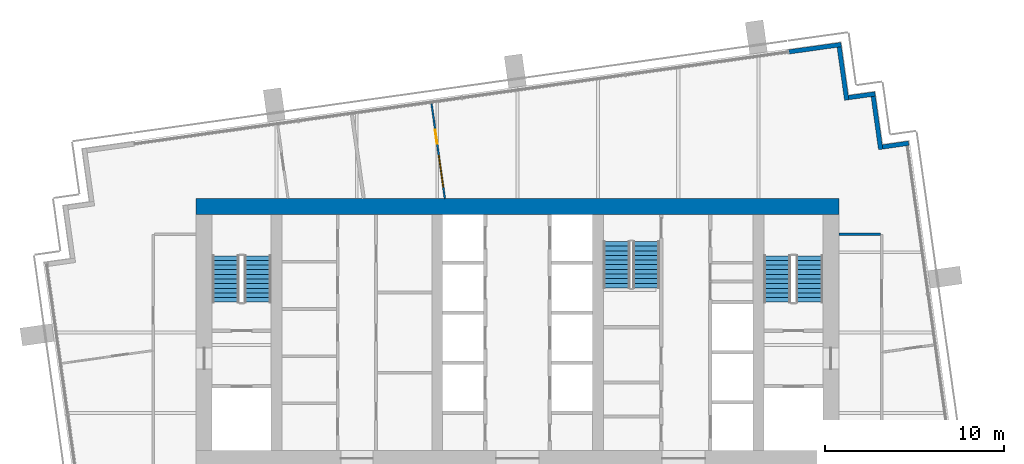
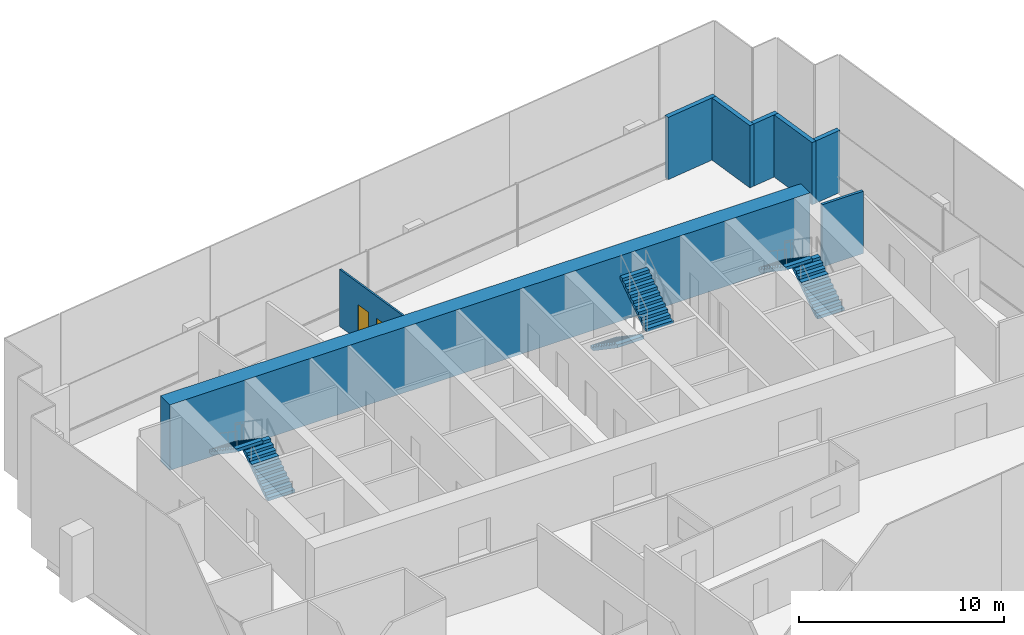
# One storey, part 11 of 15: 8 walls, 6 stair flights, 1 door, 1 window, 2 openings, 3 elements without a shape of their own.
"""IFC4 building model written with IfcOpenShell, lengths in metres."""

from ifc_helpers import new_model, si_unit, direction, frame, frame_2d, origin, place, context, subcontext, project, spatial, polyline, rectangle, outline, extrude, material, layer, layer_set, type_object, element, fill, aggregate, save


model = new_model("IFC4")

# Units and contexts
model_context = context("Model", 3, precision=1e-05, world=origin(), true_north=direction((0.0, 1.0)))
body_context = subcontext(model_context, "Body", "Model", "MODEL_VIEW")
ifc_project = project(units=[si_unit("LENGTHUNIT", "METRE"), si_unit("AREAUNIT", "SQUARE_METRE"), si_unit("VOLUMEUNIT", "CUBIC_METRE"), si_unit("PLANEANGLEUNIT", "RADIAN"), si_unit("MASSUNIT", "GRAM", prefix="KILO")], contexts=[model_context])

# Site, building, storey
site_placement = place(None, origin())
site = spatial("IfcSite", under=ifc_project, at=site_placement, CompositionType="ELEMENT")
building_placement = place(site_placement, origin())
building = spatial("IfcBuilding", under=site, at=building_placement, Name="Rattan Terrace Tower", CompositionType="ELEMENT")
storey_placement = place(building_placement, frame((0.0, 0.0, 255.10009765625)))
storey = spatial("IfcBuildingStorey", under=building, at=storey_placement, Name="L58", CompositionType="ELEMENT", Elevation=255.10009765625)

# Walls
ifc_material_1 = material(Name="Concrete C50/60", Category="concrete")
ifc_layer_1 = layer(ifc_material_1, 0.89990234375)
ifc_layer_set_1 = layer_set([ifc_layer_1], Name="Core ring wall 900 C50/60")
wall_type_1 = type_object("IfcWallType", Name="Core ring wall 900 C50/60", PredefinedType="SHEAR", material=ifc_layer_set_1)
wall_1_placement = place(storey_placement, frame((-18.0, 7.050048828125, -0.2001953125), z_axis=(0.0, 0.0, 1.0), x_axis=(1.0, 0.0, 0.0)))
element("IfcWall", 1, at=wall_1_placement, inside=storey, type_object=wall_type_1, Name="Rear core wall north", PredefinedType="SHEAR", context=body_context, shape_type="SweptSolid", body=[
    extrude(rectangle(XDim=36.0, YDim=0.89990234375, at=frame_2d((18.0, 0.0))), origin(), (0.0, 0.0, 1.0), 3.900146484375),
])
ifc_material_2 = material(Name="Insulated aluminium-clad stud wall", Category="aluminium")
ifc_layer_2 = layer(ifc_material_2, 0.25)
ifc_layer_set_2 = layer_set([ifc_layer_2], Name="Facade Riser Wall 250")
wall_type_2 = type_object("IfcWallType", Name="Facade Riser Wall 250", PredefinedType="SOLIDWALL", material=ifc_layer_set_2)
wall_2_placement = place(storey_placement, frame((21.90625, 10.60498046875, 0.0), z_axis=(0.0, 0.0, 1.0), x_axis=(-0.990235520307, -0.13940449893, 0.0)))
element("IfcWall", 2, at=wall_2_placement, inside=storey, type_object=wall_type_2, Name="Riser wall L58-6", PredefinedType="SOLIDWALL", context=body_context, shape_type="SweptSolid", body=[
    extrude(rectangle(XDim=1.474609375, YDim=0.25, at=frame_2d((0.7373046875, 0.0))), origin(), (0.0, 0.0, 1.0), 3.699951171875),
])
wall_3_placement = place(storey_placement, frame((20.33984375, 10.25830078125, 0.0), z_axis=(0.0, 0.0, 1.0), x_axis=(-0.139393225799, 0.990237107263, 0.0)))
element("IfcWall", 3, at=wall_3_placement, inside=storey, type_object=wall_type_2, Name="Riser wall L58-7", PredefinedType="SOLIDWALL", context=body_context, shape_type="SweptSolid", body=[
    extrude(rectangle(XDim=3.000244140625, YDim=0.25, at=frame_2d((1.5, 0.0))), origin(), (0.0, 0.0, 1.0), 3.699951171875),
])
wall_4_placement = place(storey_placement, frame((20.028076171875, 13.370361328125, 0.0), z_axis=(0.0, 0.0, 1.0), x_axis=(-0.990330117064, -0.138730887823, 0.0)))
element("IfcWall", 4, at=wall_4_placement, inside=storey, type_object=wall_type_2, Name="Riser wall L58-8", PredefinedType="SOLIDWALL", context=body_context, shape_type="SweptSolid", body=[
    extrude(rectangle(XDim=1.499267578125, YDim=0.25, at=frame_2d((0.74951171875, 0.0))), origin(), (0.0, 0.0, 1.0), 3.699951171875),
])
wall_5_placement = place(storey_placement, frame((18.436767578125, 13.021240234375, 0.0), z_axis=(0.0, 0.0, 1.0), x_axis=(-0.139358350296, 0.990242015975, 0.0)))
element("IfcWall", 5, at=wall_5_placement, inside=storey, type_object=wall_type_2, Name="Riser wall L58-9", PredefinedType="SOLIDWALL", context=body_context, shape_type="SweptSolid", body=[
    extrude(rectangle(XDim=2.999267578125, YDim=0.25, at=frame_2d((1.49951171875, 0.0))), origin(), (0.0, 0.0, 1.0), 3.699951171875),
])
wall_6_placement = place(storey_placement, frame((18.125244140625, 16.13232421875, 0.0), z_axis=(0.0, 0.0, 1.0), x_axis=(-0.990291981483, -0.139002846771, 0.0)))
element("IfcWall", 6, at=wall_6_placement, inside=storey, type_object=wall_type_2, Name="Riser wall L58-10", PredefinedType="SOLIDWALL", context=body_context, shape_type="SweptSolid", body=[
    extrude(rectangle(XDim=2.9541015625, YDim=0.25, at=frame_2d((1.47705078125, 0.0))), origin(), (0.0, 0.0, 1.0), 3.699951171875),
])

# Wall, openings, door, window
ifc_material_3 = material(Name="Gypsum board partition on steel studs", Category="steel")
ifc_layer_3 = layer(ifc_material_3, 0.10009765625)
ifc_layer_set_3 = layer_set([ifc_layer_3], Name="Floors Partition 100")
wall_type_3 = type_object("IfcWallType", Name="Floors Partition 100", PredefinedType="PARTITIONING", material=ifc_layer_set_3)
wall_7_placement = place(storey_placement, frame((-4.070068359375, 7.5, 0.0), z_axis=(0.0, 0.0, 1.0), x_axis=(-0.139122430522, 0.990275188685, 0.0)))
wall_7 = element("IfcWall", 7, at=wall_7_placement, inside=storey, type_object=wall_type_3, Name="pt-L58-036", PredefinedType="PARTITIONING", context=body_context, shape_type="SweptSolid", body=[
    extrude(rectangle(XDim=5.3681640625, YDim=0.10009765625, at=frame_2d((2.68408203125, 0.0))), origin(), (0.0, 0.0, 1.0), 3.39990234375),
])
opening_1_placement = place(wall_7_placement, frame((3.097900390625, 0.0, 0.0)))
opening_1 = element("IfcOpeningElement", 8, at=opening_1_placement, cuts=wall_7, Name="Opening L58-D113", PredefinedType="OPENING", context=body_context, shape_type="SweptSolid", body=[
    extrude(rectangle(XDim=0.800048828125, YDim=2.10009765625, at=frame_2d((0.39990234375, 1.050048828125))), frame((0.0, 0.060546875, 0.0), z_axis=(0.0, -1.0, 0.0), x_axis=(1.0, 0.0, 0.0)), (0.0, 0.0, 1.0), 0.12109375),
])
opening_2_placement = place(wall_7_placement, frame((0.64892578125, 0.0, 0.89990234375)))
opening_2 = element("IfcOpeningElement", 9, at=opening_2_placement, cuts=wall_7, Name="Opening L58-W105", PredefinedType="OPENING", context=body_context, shape_type="SweptSolid", body=[
    extrude(rectangle(XDim=1.800048828125, YDim=1.199951171875, at=frame_2d((0.89990234375, 0.60009765625))), frame((0.0, 0.060546875, 0.0), z_axis=(0.0, -1.0, 0.0), x_axis=(1.0, 0.0, 0.0)), (0.0, 0.0, 1.0), 0.12109375),
])
ifc_material_4 = material(Name="Solid core timber door, painted", Category="wood")
door_type = type_object("IfcDoorType", Name="Floors Store Door 800x2100", OperationType="NOTDEFINED", PredefinedType="DOOR", material=ifc_material_4)
door_placement = place(opening_1_placement, origin())
door = element("IfcDoor", 10, at=door_placement, inside=storey, type_object=door_type, Name="d-L58-113", OperationType="SINGLE_SWING_RIGHT", OverallHeight=2.10009765625, OverallWidth=0.800048828125, PredefinedType="DOOR", context=body_context, shape_type="SweptSolid", body=[
    extrude(rectangle(XDim=0.800048828125, YDim=2.10009765625, at=frame_2d((0.39990234375, 1.050048828125))), frame((0.0, 0.02490234375, 0.0), z_axis=(0.0, -1.0, 0.0), x_axis=(1.0, 0.0, 0.0)), (0.0, 0.0, 1.0), 0.050048828125),
])
fill(opening_1, door)
ifc_material_5 = material(Name="Glass, clear, fixed in aluminium frame", Category="aluminium")
window_type = type_object("IfcWindowType", Name="Interior Vision Window 1800x1200", PartitioningType="SINGLE_PANEL", PredefinedType="WINDOW", material=ifc_material_5)
window_placement = place(opening_2_placement, origin())
window = element("IfcWindow", 11, at=window_placement, inside=storey, type_object=window_type, Name="w-L58-105", OverallHeight=1.199951171875, OverallWidth=1.800048828125, PartitioningType="SINGLE_PANEL", PredefinedType="WINDOW", context=body_context, shape_type="SweptSolid", body=[
    extrude(rectangle(XDim=1.800048828125, YDim=1.199951171875, at=frame_2d((0.89990234375, 0.60009765625))), frame((0.0, 0.030029296875, 0.0), z_axis=(0.0, -1.0, 0.0), x_axis=(1.0, 0.0, 0.0)), (0.0, 0.0, 1.0), 0.06005859375),
])
fill(opening_2, window)

# Wall
ifc_material_6 = material(Name="Gypsum board partition on steel studs, fire rated", Category="steel")
ifc_layer_4 = layer(ifc_material_6, 0.14990234375)
ifc_layer_set_4 = layer_set([ifc_layer_4], Name="Floors Tenancy Wall 150")
wall_type_4 = type_object("IfcWallType", Name="Floors Tenancy Wall 150", PredefinedType="PARTITIONING", material=ifc_layer_set_4)
wall_8_placement = place(storey_placement, frame((18.0, 5.5009765625, 0.0), z_axis=(0.0, 0.0, 1.0), x_axis=(1.0, 0.0, 0.0)))
element("IfcWall", 12, at=wall_8_placement, inside=storey, type_object=wall_type_4, Name="pt-L58-016", PredefinedType="PARTITIONING", context=body_context, shape_type="SweptSolid", body=[
    extrude(rectangle(XDim=2.324951171875, YDim=0.14990234375, at=frame_2d((1.16259765625, 0.0))), origin(), (0.0, 0.0, 1.0), 3.699951171875),
])

# Stair, stair flights
ifc_material_7 = material(Name="Concrete C40/50", Category="concrete")
stair_type = type_object("IfcStairType", Name="Core exit stair 1500", PredefinedType="HALF_TURN_STAIR", material=ifc_material_7)
stair_1_placement = place(storey_placement, origin())
stair_1 = element("IfcStair", 13, at=stair_1_placement, inside=storey, type_object=stair_type, Name="L58 exit stair 1", PredefinedType="HALF_TURN_STAIR")
ifc_material_8 = material(Name="Concrete C40/50", Category="concrete")
stair_flight_type = type_object("IfcStairFlightType", Name="Core exit stair flight 1500", PredefinedType="STRAIGHT", material=ifc_material_8)
stair_flight_1_placement = place(storey_placement, frame((-14.550048828125, 1.699951171875, 0.0), z_axis=(0.0, 0.0, 1.0), x_axis=(0.0, 1.0, 0.0)))
stair_flight_1 = element("IfcStairFlight", 14, at=stair_flight_1_placement, type_object=stair_flight_type, Name="S1 flight 1", NumberOfRisers=11, NumberOfTreads=10, PredefinedType="STRAIGHT", RiserHeight=0.177272727, TreadLength=0.26, context=body_context, shape_type="SweptSolid", body=[
    extrude(outline(polyline([(0.0, 0.0), (0.0, 0.17724609375), (0.260009765625, 0.17724609375), (0.260009765625, 0.3544921875), (0.52001953125, 0.3544921875), (0.52001953125, 0.53173828125), (0.780029296875, 0.53173828125), (0.780029296875, 0.708984375), (1.0400390625, 0.708984375), (1.0400390625, 0.886474609375), (1.300048828125, 0.886474609375), (1.300048828125, 1.063720703125), (1.56005859375, 1.063720703125), (1.56005859375, 1.240966796875), (1.820068359375, 1.240966796875), (1.820068359375, 1.418212890625), (2.080078125, 1.418212890625), (2.080078125, 1.595458984375), (2.340087890625, 1.595458984375), (2.340087890625, 1.772705078125), (2.60009765625, 1.772705078125), (2.60009765625, 1.949951171875), (2.60009765625, 1.59130859375), (0.26611328125, 0.0), (0.0, 0.0)])), frame((0.0, 0.75, 0.0), z_axis=(0.0, -1.0, 0.0), x_axis=(1.0, 0.0, 0.0)), (0.0, 0.0, 1.0), 1.5),
])
stair_flight_2_placement = place(storey_placement, frame((-16.35009765625, 4.300048828125, 1.949951171875), z_axis=(0.0, 0.0, 1.0), x_axis=(0.0, -1.0, 0.0)))
stair_flight_2 = element("IfcStairFlight", 15, at=stair_flight_2_placement, type_object=stair_flight_type, Name="S1 flight 2", NumberOfRisers=11, NumberOfTreads=10, PredefinedType="STRAIGHT", RiserHeight=0.177272727, TreadLength=0.26, context=body_context, shape_type="SweptSolid", body=[
    extrude(outline(polyline([(0.0, 0.0), (0.0, 0.17724609375), (0.260009765625, 0.17724609375), (0.260009765625, 0.3544921875), (0.52001953125, 0.3544921875), (0.52001953125, 0.53173828125), (0.780029296875, 0.53173828125), (0.780029296875, 0.708984375), (1.0400390625, 0.708984375), (1.0400390625, 0.886474609375), (1.300048828125, 0.886474609375), (1.300048828125, 1.063720703125), (1.56005859375, 1.063720703125), (1.56005859375, 1.240966796875), (1.820068359375, 1.240966796875), (1.820068359375, 1.418212890625), (2.080078125, 1.418212890625), (2.080078125, 1.595458984375), (2.340087890625, 1.595458984375), (2.340087890625, 1.772705078125), (2.60009765625, 1.772705078125), (2.60009765625, 1.949951171875), (2.60009765625, 1.59130859375), (0.26611328125, 0.0), (0.0, 0.0)])), frame((0.0, 0.75, 0.0), z_axis=(0.0, -1.0, 0.0), x_axis=(1.0, 0.0, 0.0)), (0.0, 0.0, 1.0), 1.5),
])
aggregate(stair_1, [stair_flight_1, stair_flight_2])

stair_2_placement = place(storey_placement, origin())
stair_2 = element("IfcStair", 16, at=stair_2_placement, inside=storey, type_object=stair_type, Name="L58 exit stair 2", PredefinedType="HALF_TURN_STAIR")
stair_flight_3_placement = place(storey_placement, frame((16.35009765625, 1.699951171875, 0.0), z_axis=(0.0, 0.0, 1.0), x_axis=(0.0, 1.0, 0.0)))
stair_flight_3 = element("IfcStairFlight", 17, at=stair_flight_3_placement, type_object=stair_flight_type, Name="S2 flight 1", NumberOfRisers=11, NumberOfTreads=10, PredefinedType="STRAIGHT", RiserHeight=0.177272727, TreadLength=0.26, context=body_context, shape_type="SweptSolid", body=[
    extrude(outline(polyline([(0.0, 0.0), (0.0, 0.17724609375), (0.260009765625, 0.17724609375), (0.260009765625, 0.3544921875), (0.52001953125, 0.3544921875), (0.52001953125, 0.53173828125), (0.780029296875, 0.53173828125), (0.780029296875, 0.708984375), (1.0400390625, 0.708984375), (1.0400390625, 0.886474609375), (1.300048828125, 0.886474609375), (1.300048828125, 1.063720703125), (1.56005859375, 1.063720703125), (1.56005859375, 1.240966796875), (1.820068359375, 1.240966796875), (1.820068359375, 1.418212890625), (2.080078125, 1.418212890625), (2.080078125, 1.595458984375), (2.340087890625, 1.595458984375), (2.340087890625, 1.772705078125), (2.60009765625, 1.772705078125), (2.60009765625, 1.949951171875), (2.60009765625, 1.59130859375), (0.26611328125, 0.0), (0.0, 0.0)])), frame((0.0, 0.75, 0.0), z_axis=(0.0, -1.0, 0.0), x_axis=(1.0, 0.0, 0.0)), (0.0, 0.0, 1.0), 1.5),
])
stair_flight_4_placement = place(storey_placement, frame((14.550048828125, 4.300048828125, 1.949951171875), z_axis=(0.0, 0.0, 1.0), x_axis=(0.0, -1.0, 0.0)))
stair_flight_4 = element("IfcStairFlight", 18, at=stair_flight_4_placement, type_object=stair_flight_type, Name="S2 flight 2", NumberOfRisers=11, NumberOfTreads=10, PredefinedType="STRAIGHT", RiserHeight=0.177272727, TreadLength=0.26, context=body_context, shape_type="SweptSolid", body=[
    extrude(outline(polyline([(0.0, 0.0), (0.0, 0.17724609375), (0.260009765625, 0.17724609375), (0.260009765625, 0.3544921875), (0.52001953125, 0.3544921875), (0.52001953125, 0.53173828125), (0.780029296875, 0.53173828125), (0.780029296875, 0.708984375), (1.0400390625, 0.708984375), (1.0400390625, 0.886474609375), (1.300048828125, 0.886474609375), (1.300048828125, 1.063720703125), (1.56005859375, 1.063720703125), (1.56005859375, 1.240966796875), (1.820068359375, 1.240966796875), (1.820068359375, 1.418212890625), (2.080078125, 1.418212890625), (2.080078125, 1.595458984375), (2.340087890625, 1.595458984375), (2.340087890625, 1.772705078125), (2.60009765625, 1.772705078125), (2.60009765625, 1.949951171875), (2.60009765625, 1.59130859375), (0.26611328125, 0.0), (0.0, 0.0)])), frame((0.0, 0.75, 0.0), z_axis=(0.0, -1.0, 0.0), x_axis=(1.0, 0.0, 0.0)), (0.0, 0.0, 1.0), 1.5),
])
aggregate(stair_2, [stair_flight_3, stair_flight_4])

stair_3_placement = place(storey_placement, origin())
stair_3 = element("IfcStair", 19, at=stair_3_placement, inside=storey, type_object=stair_type, Name="L58 exit stair 3", PredefinedType="HALF_TURN_STAIR")
stair_flight_5_placement = place(storey_placement, frame((5.550048828125, 5.10009765625, 0.0), z_axis=(0.0, 0.0, 1.0), x_axis=(0.0, -1.0, 0.0)))
stair_flight_5 = element("IfcStairFlight", 20, at=stair_flight_5_placement, type_object=stair_flight_type, Name="S3 flight 1", NumberOfRisers=11, NumberOfTreads=10, PredefinedType="STRAIGHT", RiserHeight=0.177272727, TreadLength=0.26, context=body_context, shape_type="SweptSolid", body=[
    extrude(outline(polyline([(0.0, 0.0), (0.0, 0.17724609375), (0.260009765625, 0.17724609375), (0.260009765625, 0.3544921875), (0.52001953125, 0.3544921875), (0.52001953125, 0.53173828125), (0.780029296875, 0.53173828125), (0.780029296875, 0.708984375), (1.0400390625, 0.708984375), (1.0400390625, 0.886474609375), (1.300048828125, 0.886474609375), (1.300048828125, 1.063720703125), (1.56005859375, 1.063720703125), (1.56005859375, 1.240966796875), (1.820068359375, 1.240966796875), (1.820068359375, 1.418212890625), (2.080078125, 1.418212890625), (2.080078125, 1.595458984375), (2.340087890625, 1.595458984375), (2.340087890625, 1.772705078125), (2.60009765625, 1.772705078125), (2.60009765625, 1.949951171875), (2.60009765625, 1.59130859375), (0.26611328125, 0.0), (0.0, 0.0)])), frame((0.0, 0.75, 0.0), z_axis=(0.0, -1.0, 0.0), x_axis=(1.0, 0.0, 0.0)), (0.0, 0.0, 1.0), 1.5),
])
stair_flight_6_placement = place(storey_placement, frame((7.199951171875, 2.5, 1.949951171875), z_axis=(0.0, 0.0, 1.0), x_axis=(0.0, 1.0, 0.0)))
stair_flight_6 = element("IfcStairFlight", 21, at=stair_flight_6_placement, type_object=stair_flight_type, Name="S3 flight 2", NumberOfRisers=11, NumberOfTreads=10, PredefinedType="STRAIGHT", RiserHeight=0.177272727, TreadLength=0.26, context=body_context, shape_type="SweptSolid", body=[
    extrude(outline(polyline([(0.0, 0.0), (0.0, 0.17724609375), (0.260009765625, 0.17724609375), (0.260009765625, 0.3544921875), (0.52001953125, 0.3544921875), (0.52001953125, 0.53173828125), (0.780029296875, 0.53173828125), (0.780029296875, 0.708984375), (1.0400390625, 0.708984375), (1.0400390625, 0.886474609375), (1.300048828125, 0.886474609375), (1.300048828125, 1.063720703125), (1.56005859375, 1.063720703125), (1.56005859375, 1.240966796875), (1.820068359375, 1.240966796875), (1.820068359375, 1.418212890625), (2.080078125, 1.418212890625), (2.080078125, 1.595458984375), (2.340087890625, 1.595458984375), (2.340087890625, 1.772705078125), (2.60009765625, 1.772705078125), (2.60009765625, 1.949951171875), (2.60009765625, 1.59130859375), (0.26611328125, 0.0), (0.0, 0.0)])), frame((0.0, 0.75, 0.0), z_axis=(0.0, -1.0, 0.0), x_axis=(1.0, 0.0, 0.0)), (0.0, 0.0, 1.0), 1.5),
])
aggregate(stair_3, [stair_flight_5, stair_flight_6])

save(model, "model.ifc")
